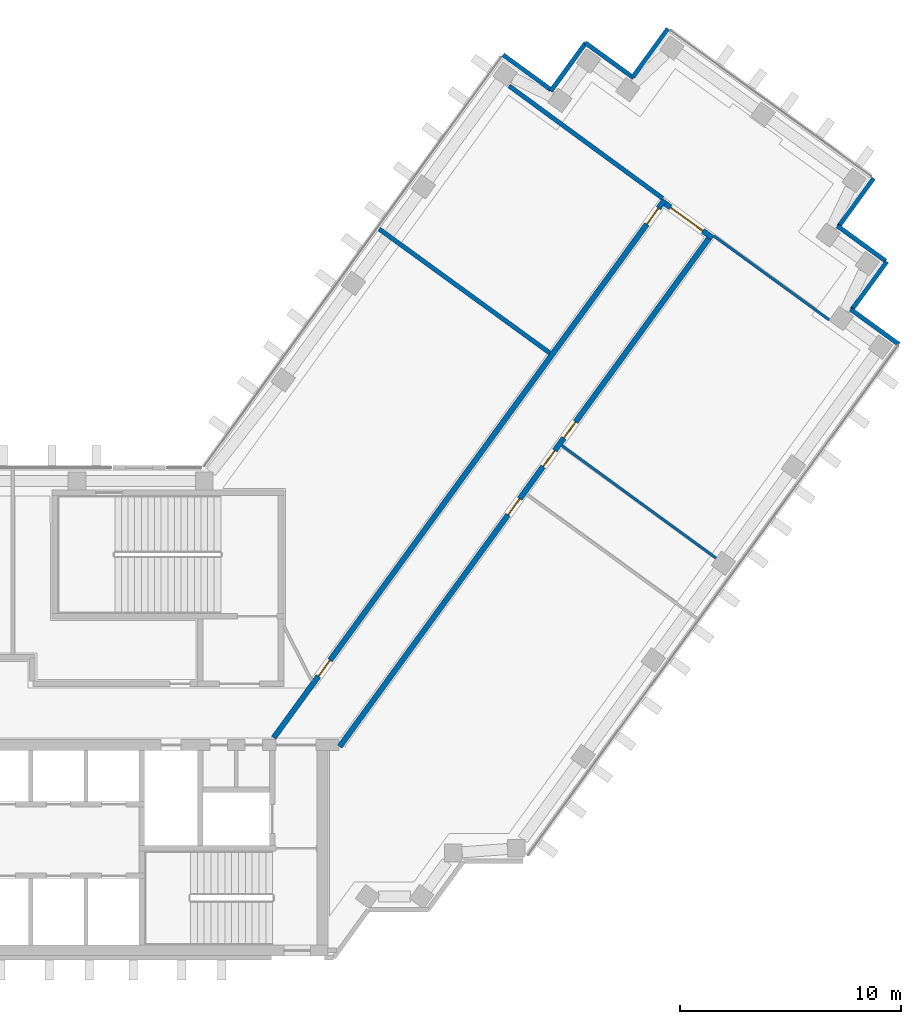
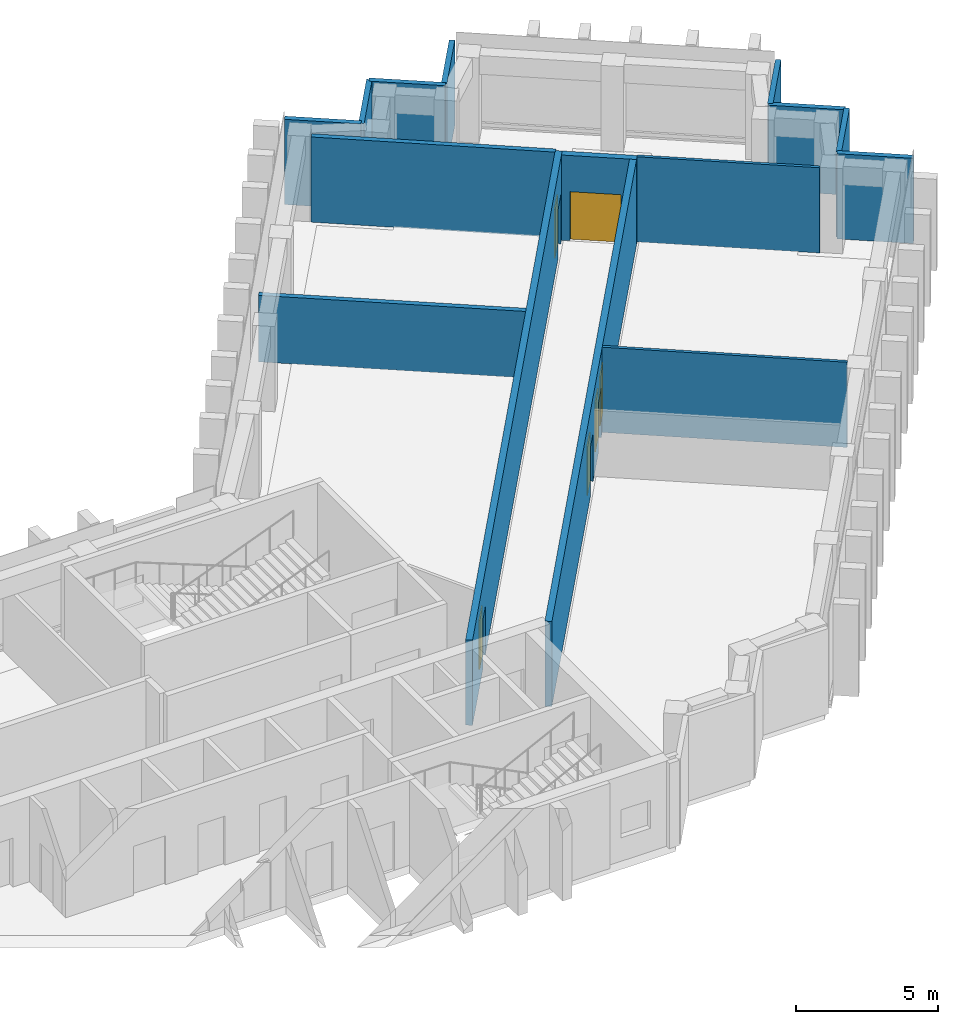
# One storey, part 10 of 13: 15 walls, 6 doors, 6 openings.
"""IFC4 building model written with IfcOpenShell, lengths in metres."""

from ifc_helpers import new_model, si_unit, direction, frame, frame_2d, origin, place, context, subcontext, project, spatial, rectangle, extrude, material, layer, layer_set, type_object, element, fill, save


model = new_model("IFC4")

# Units and contexts
model_context = context("Model", 3, precision=1e-05, world=origin(), true_north=direction((0.0, 1.0)))
body_context = subcontext(model_context, "Body", "Model", "MODEL_VIEW")
ifc_project = project(units=[si_unit("LENGTHUNIT", "METRE"), si_unit("AREAUNIT", "SQUARE_METRE"), si_unit("VOLUMEUNIT", "CUBIC_METRE"), si_unit("PLANEANGLEUNIT", "RADIAN"), si_unit("MASSUNIT", "GRAM", prefix="KILO")], contexts=[model_context])

# Site, building, storey
site_placement = place(None, origin())
site = spatial("IfcSite", under=ifc_project, at=site_placement, CompositionType="ELEMENT")
building_placement = place(site_placement, origin())
building = spatial("IfcBuilding", under=site, at=building_placement, Name="Quipu Civic Tower", CompositionType="ELEMENT")
storey_placement = place(building_placement, frame((0.0, 0.0, 156.0)))
storey = spatial("IfcBuildingStorey", under=building, at=storey_placement, Name="L36", CompositionType="ELEMENT", Elevation=156.0)

# Walls
ifc_material_1 = material(Name="Fired clay blockwork", Category="masonry")
ifc_layer_1 = layer(ifc_material_1, 0.199951171875)
ifc_layer_set_1 = layer_set([ifc_layer_1], Name="Fired clay blockwork")
wall_type_1 = type_object("IfcWallType", Name="Blockwork wall 200", PredefinedType="SOLIDWALL", material=ifc_layer_set_1)
wall_1_placement = place(storey_placement, frame((30.044189453125, 16.291748046875, 0.0), z_axis=(0.0, 0.0, 1.0), x_axis=(-0.80898585166, 0.587828114175, 0.0)))
element("IfcWall", 1, at=wall_1_placement, inside=storey, type_object=wall_type_1, Name="Partition P01", PredefinedType="SOLIDWALL", context=body_context, shape_type="SweptSolid", body=[
    extrude(rectangle(XDim=9.550048828125, YDim=0.199951171875, at=frame_2d((4.77490234375, 0.0))), origin(), (0.0, 0.0, 1.0), 2.85009765625),
])
wall_2_placement = place(storey_placement, frame((28.197998046875, 28.38134765625, 0.0), z_axis=(0.0, 0.0, 1.0), x_axis=(0.806977317905, -0.590582431492, 0.0)))
element("IfcWall", 2, at=wall_2_placement, inside=storey, type_object=wall_type_1, Name="Partition P08", PredefinedType="SOLIDWALL", context=body_context, shape_type="SweptSolid", body=[
    extrude(rectangle(XDim=8.61962890625, YDim=0.199951171875, at=frame_2d((4.309814453125, 0.0))), origin(), (0.0, 0.0, 1.0), 3.64990234375),
])

# Wall, openings, doors
ifc_material_2 = material(Name="Concrete C50/60", Category="concrete")
ifc_layer_2 = layer(ifc_material_2, 0.25)
ifc_layer_set_2 = layer_set([ifc_layer_2], Name="Concrete C50/60")
wall_type_2 = type_object("IfcWallType", Name="Corridor wall 250 concrete", PredefinedType="SOLIDWALL", material=ifc_layer_set_2)
wall_3_placement = place(storey_placement, frame((17.544921875, -1.124755859375, 0.0), z_axis=(0.0, 0.0, 1.0), x_axis=(0.587786330937, 0.809016210693, 0.0)))
wall_3 = element("IfcWall", 3, at=wall_3_placement, inside=storey, type_object=wall_type_2, Name="Corridor wall C02", PredefinedType="SOLIDWALL", context=body_context, shape_type="SweptSolid", body=[
    extrude(rectangle(XDim=30.10302734375, YDim=0.25, at=frame_2d((15.051513671875, 0.0))), origin(), (0.0, 0.0, 1.0), 3.64990234375),
])
opening_1_placement = place(wall_3_placement, frame((3.44140625, 0.0, 0.0)))
opening_1 = element("IfcOpeningElement", 4, at=opening_1_placement, cuts=wall_3, Name="Opening D001", PredefinedType="OPENING", context=body_context, shape_type="SweptSolid", body=[
    extrude(rectangle(XDim=0.89990234375, YDim=2.10009765625, at=frame_2d((0.449951171875, 1.050048828125))), frame((0.0, 0.135009765625, 0.0), z_axis=(0.0, -1.0, 0.0), x_axis=(1.0, 0.0, 0.0)), (0.0, 0.0, 1.0), 0.27001953125),
])
opening_2_placement = place(wall_3_placement, frame((28.72900390625, 0.0, 0.0)))
opening_2 = element("IfcOpeningElement", 5, at=opening_2_placement, cuts=wall_3, Name="Opening D002", PredefinedType="OPENING", context=body_context, shape_type="SweptSolid", body=[
    extrude(rectangle(XDim=0.89990234375, YDim=2.10009765625, at=frame_2d((0.449951171875, 1.050048828125))), frame((0.0, 0.135009765625, 0.0), z_axis=(0.0, -1.0, 0.0), x_axis=(1.0, 0.0, 0.0)), (0.0, 0.0, 1.0), 0.27001953125),
])
ifc_material_3 = material(Name="Fire rated timber door set with metal frame", Category="wood")
door_type_1 = type_object("IfcDoorType", Name="Single door 900 x 2100 FD60", OperationType="NOTDEFINED", PredefinedType="DOOR", material=ifc_material_3)
door_1_placement = place(opening_1_placement, origin())
door_1 = element("IfcDoor", 6, at=door_1_placement, inside=storey, type_object=door_type_1, Name="Door D001", OperationType="SINGLE_SWING_LEFT", OverallHeight=2.10009765625, OverallWidth=0.89990234375, PredefinedType="DOOR", context=body_context, shape_type="SweptSolid", body=[
    extrude(rectangle(XDim=0.89990234375, YDim=2.10009765625, at=frame_2d((0.449951171875, 1.050048828125))), frame((0.0, 0.02490234375, 0.0), z_axis=(0.0, -1.0, 0.0), x_axis=(1.0, 0.0, 0.0)), (0.0, 0.0, 1.0), 0.050048828125),
])
fill(opening_1, door_1)
door_2_placement = place(opening_2_placement, origin())
door_2 = element("IfcDoor", 7, at=door_2_placement, inside=storey, type_object=door_type_1, Name="Door D002", OperationType="SINGLE_SWING_RIGHT", OverallHeight=2.10009765625, OverallWidth=0.89990234375, PredefinedType="DOOR", context=body_context, shape_type="SweptSolid", body=[
    extrude(rectangle(XDim=0.89990234375, YDim=2.10009765625, at=frame_2d((0.449951171875, 1.050048828125))), frame((0.0, 0.02490234375, 0.0), z_axis=(0.0, -1.0, 0.0), x_axis=(1.0, 0.0, 0.0)), (0.0, 0.0, 1.0), 0.050048828125),
])
fill(opening_2, door_2)

# Wall, opening, door
wall_4_placement = place(storey_placement, frame((35.2666015625, 23.054443359375, 0.0), z_axis=(0.0, 0.0, 1.0), x_axis=(0.809038743598, -0.587755315891, 0.0)))
wall_4 = element("IfcWall", 8, at=wall_4_placement, inside=storey, type_object=wall_type_2, Name="Corridor wall C03", PredefinedType="SOLIDWALL", context=body_context, shape_type="SweptSolid", body=[
    extrude(rectangle(XDim=2.650146484375, YDim=0.25, at=frame_2d((1.3251953125, 0.0))), origin(), (0.0, 0.0, 1.0), 3.64990234375),
])
opening_3_placement = place(wall_4_placement, frame((0.300048828125, 0.0, 0.0)))
opening_3 = element("IfcOpeningElement", 9, at=opening_3_placement, cuts=wall_4, Name="Opening D006", PredefinedType="OPENING", context=body_context, shape_type="SweptSolid", body=[
    extrude(rectangle(XDim=1.800048828125, YDim=2.10009765625, at=frame_2d((0.89990234375, 1.050048828125))), frame((0.0, 0.135009765625, 0.0), z_axis=(0.0, -1.0, 0.0), x_axis=(1.0, 0.0, 0.0)), (0.0, 0.0, 1.0), 0.27001953125),
])
ifc_material_4 = material(Name="Fire rated timber door set with metal frame", Category="wood")
door_type_2 = type_object("IfcDoorType", Name="Double door 1800 x 2100 FD60", OperationType="DOUBLE_DOOR_SINGLE_SWING", PredefinedType="DOOR", material=ifc_material_4)
door_3_placement = place(opening_3_placement, origin())
door_3 = element("IfcDoor", 10, at=door_3_placement, inside=storey, type_object=door_type_2, Name="Door D006", OperationType="DOUBLE_DOOR_SINGLE_SWING", OverallHeight=2.10009765625, OverallWidth=1.800048828125, PredefinedType="DOOR", context=body_context, shape_type="SweptSolid", body=[
    extrude(rectangle(XDim=1.800048828125, YDim=2.10009765625, at=frame_2d((0.89990234375, 1.050048828125))), frame((0.0, 0.02490234375, 0.0), z_axis=(0.0, -1.0, 0.0), x_axis=(1.0, 0.0, 0.0)), (0.0, 0.0, 1.0), 0.050048828125),
])
fill(opening_3, door_3)

# Wall, openings, doors
wall_5_placement = place(storey_placement, frame((37.236083984375, 21.46923828125, 0.0), z_axis=(0.0, 0.0, 1.0), x_axis=(-0.58778344073, -0.809018310549, 0.0)))
wall_5 = element("IfcWall", 11, at=wall_5_placement, inside=storey, type_object=wall_type_2, Name="Corridor wall C04", PredefinedType="SOLIDWALL", context=body_context, shape_type="SweptSolid", body=[
    extrude(rectangle(XDim=28.42041015625, YDim=0.25, at=frame_2d((14.210205078125, 0.0))), origin(), (0.0, 0.0, 1.0), 3.64990234375),
])
opening_4_placement = place(wall_5_placement, frame((14.55419921875, 0.0, 0.0)))
opening_4 = element("IfcOpeningElement", 12, at=opening_4_placement, cuts=wall_5, Name="Opening D003", PredefinedType="OPENING", context=body_context, shape_type="SweptSolid", body=[
    extrude(rectangle(XDim=0.89990234375, YDim=2.10009765625, at=frame_2d((0.449951171875, 1.050048828125))), frame((0.0, 0.135009765625, 0.0), z_axis=(0.0, -1.0, 0.0), x_axis=(1.0, 0.0, 0.0)), (0.0, 0.0, 1.0), 0.27001953125),
])
opening_5_placement = place(wall_5_placement, frame((10.255126953125, 0.0, 0.0)))
opening_5 = element("IfcOpeningElement", 13, at=opening_5_placement, cuts=wall_5, Name="Opening D005", PredefinedType="OPENING", context=body_context, shape_type="SweptSolid", body=[
    extrude(rectangle(XDim=0.89990234375, YDim=2.10009765625, at=frame_2d((0.449951171875, 1.050048828125))), frame((0.0, 0.135009765625, 0.0), z_axis=(0.0, -1.0, 0.0), x_axis=(1.0, 0.0, 0.0)), (0.0, 0.0, 1.0), 0.27001953125),
])
opening_6_placement = place(wall_5_placement, frame((11.8544921875, 0.0, 0.0)))
opening_6 = element("IfcOpeningElement", 14, at=opening_6_placement, cuts=wall_5, Name="Opening D004", PredefinedType="OPENING", context=body_context, shape_type="SweptSolid", body=[
    extrude(rectangle(XDim=0.89990234375, YDim=2.10009765625, at=frame_2d((0.449951171875, 1.050048828125))), frame((0.0, 0.135009765625, 0.0), z_axis=(0.0, -1.0, 0.0), x_axis=(1.0, 0.0, 0.0)), (0.0, 0.0, 1.0), 0.27001953125),
])
door_4_placement = place(opening_4_placement, origin())
door_4 = element("IfcDoor", 15, at=door_4_placement, inside=storey, type_object=door_type_1, Name="Door D003", OperationType="SINGLE_SWING_LEFT", OverallHeight=2.10009765625, OverallWidth=0.89990234375, PredefinedType="DOOR", context=body_context, shape_type="SweptSolid", body=[
    extrude(rectangle(XDim=0.89990234375, YDim=2.10009765625, at=frame_2d((0.449951171875, 1.050048828125))), frame((0.0, 0.02490234375, 0.0), z_axis=(0.0, -1.0, 0.0), x_axis=(1.0, 0.0, 0.0)), (0.0, 0.0, 1.0), 0.050048828125),
])
fill(opening_4, door_4)
door_5_placement = place(opening_5_placement, origin())
door_5 = element("IfcDoor", 16, at=door_5_placement, inside=storey, type_object=door_type_1, Name="Door D005", OperationType="SINGLE_SWING_RIGHT", OverallHeight=2.10009765625, OverallWidth=0.89990234375, PredefinedType="DOOR", context=body_context, shape_type="SweptSolid", body=[
    extrude(rectangle(XDim=0.89990234375, YDim=2.10009765625, at=frame_2d((0.449951171875, 1.050048828125))), frame((0.0, 0.02490234375, 0.0), z_axis=(0.0, -1.0, 0.0), x_axis=(1.0, 0.0, 0.0)), (0.0, 0.0, 1.0), 0.050048828125),
])
fill(opening_5, door_5)
door_6_placement = place(opening_6_placement, origin())
door_6 = element("IfcDoor", 17, at=door_6_placement, inside=storey, type_object=door_type_1, Name="Door D004", OperationType="SINGLE_SWING_LEFT", OverallHeight=2.10009765625, OverallWidth=0.89990234375, PredefinedType="DOOR", context=body_context, shape_type="SweptSolid", body=[
    extrude(rectangle(XDim=0.89990234375, YDim=2.10009765625, at=frame_2d((0.449951171875, 1.050048828125))), frame((0.0, 0.02490234375, 0.0), z_axis=(0.0, -1.0, 0.0), x_axis=(1.0, 0.0, 0.0)), (0.0, 0.0, 1.0), 0.050048828125),
])
fill(opening_6, door_6)

# Walls
ifc_material_5 = material(Name="Gypsum plasterboard on light gauge framing")
ifc_layer_3 = layer(ifc_material_5, 0.1201171875)
ifc_layer_set_3 = layer_set([ifc_layer_3], Name="Gypsum plasterboard on light gauge framing")
wall_type_3 = type_object("IfcWallType", Name="Partition 120 plasterboard", PredefinedType="PARTITIONING", material=ifc_layer_set_3)
wall_6_placement = place(storey_placement, frame((42.68603515625, 17.793701171875, 0.0), z_axis=(0.0, 0.0, 1.0), x_axis=(-0.809017755079, 0.587784205272, 0.0)))
element("IfcWall", 18, at=wall_6_placement, inside=storey, type_object=wall_type_3, Name="Partition P03", PredefinedType="PARTITIONING", context=body_context, shape_type="SweptSolid", body=[
    extrude(rectangle(XDim=6.444580078125, YDim=0.1201171875, at=frame_2d((3.22216796875, 0.0))), origin(), (0.0, 0.0, 1.0), 3.64990234375),
])
wall_7_placement = place(storey_placement, frame((30.5869140625, 12.104248046875, 0.0), z_axis=(0.0, 0.0, 1.0), x_axis=(0.807584089733, -0.589752437902, 0.0)))
element("IfcWall", 19, at=wall_7_placement, inside=storey, type_object=wall_type_3, Name="Partition P04", PredefinedType="PARTITIONING", context=body_context, shape_type="SweptSolid", body=[
    extrude(rectangle(XDim=8.64453125, YDim=0.1201171875, at=frame_2d((4.322265625, 0.0))), origin(), (0.0, 0.0, 1.0), 3.64990234375),
])
ifc_material_6 = material(Name="Precast concrete C40/50", Category="concrete")
wall_type_4 = type_object("IfcWallType", Name="Precast cladding wall", PredefinedType="SOLIDWALL", material=ifc_material_6)
for number, where, z_axis, x_axis, name in (
    (20, (45.84228515625, 16.6845703125, 0.0), (0.0, 0.0, 1.0), (-0.808958916286, 0.58786518162, 0.0), "Precast cladding wall L36 27"),
    (21, (43.70947265625, 18.249267578125, 0.0), (0.0, 0.0, 1.0), (0.587762999008, 0.809033161865, 0.0), "Precast cladding wall L36 28"),
    (22, (45.2451171875, 20.4560546875, 0.0), (0.0, 0.0, 1.0), (-0.809033161865, 0.587762999008, 0.0), "Precast cladding wall L36 29"),
    (23, (43.112548828125, 22.020263671875, 0.0), (0.0, 0.0, 1.0), (0.587762999008, 0.809033161865, 0.0), "Precast cladding wall L36 30"),
    (24, (35.3876953125, 30.97021484375, 0.0), (0.0, 0.0, 1.0), (-0.587762999008, -0.809033161865, 0.0), "Precast cladding wall L36 32"),
    (25, (33.837890625, 28.743896484375, 0.0), (0.0, 0.0, 1.0), (-0.809033161865, 0.587762999008, 0.0), "Precast cladding wall L36 33"),
    (26, (31.67041015625, 30.33349609375, 0.0), (0.0, 0.0, 1.0), (-0.587762999008, -0.809033161865, 0.0), "Precast cladding wall L36 34"),
    (27, (30.105712890625, 28.2001953125, 0.0), (0.0, 0.0, 1.0), (-0.809033161865, 0.587762999008, 0.0), "Precast cladding wall L36 35"),
):
    element("IfcWall", number, at=place(storey_placement, frame(where, z_axis=z_axis, x_axis=x_axis)), inside=storey, type_object=wall_type_4, Name=name, PredefinedType="SOLIDWALL", context=body_context, shape_type="SweptSolid", body=[
        extrude(rectangle(XDim=2.699951171875, YDim=0.199951171875, at=frame_2d((1.35009765625, 0.0))), origin(), (0.0, 0.0, 1.0), 3.64990234375),
    ])

save(model, "model.ifc")
